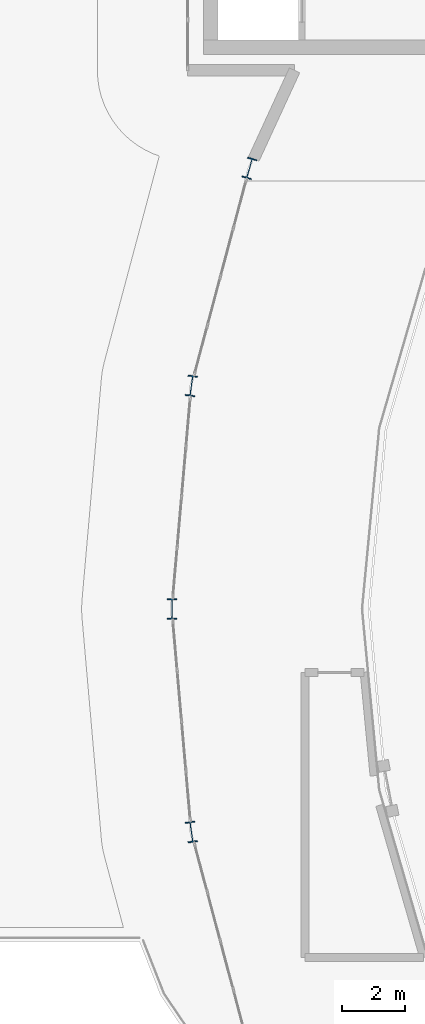
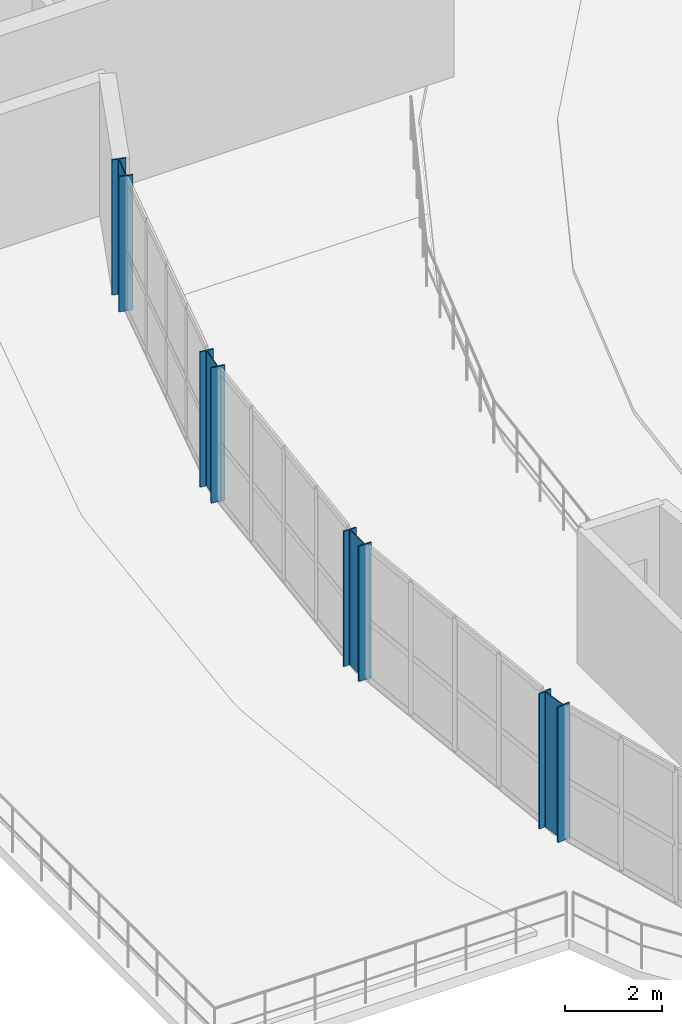
# One storey, part 2 of 40: 4 columns.
"""IFC4 building model written with IfcOpenShell, lengths in metres."""

import ifcopenshell
import ifcopenshell.guid

model = None  # the IFC model being written
_history = None  # IfcOwnerHistory: only IFC2X3 demands one
_inside = {}  # id of a spatial element -> (the spatial element, [elements in it])
_under = {}  # id of a project, library or spatial element -> (it, [spatial elements below it])
_declared = {}  # id of a project -> (the project, [libraries it declares])
_typed = {}  # id of a type object -> (the type object, [elements of that type])
_made_of = {}  # id of a material, layer set ... -> (it, [elements and type objects made of it])


def new_model(schema):
    """Start an empty IFC model of exactly this schema.

    Asked for "IFC4X3", IfcOpenShell would pick the latest addendum, in which some entities
    have other attributes; the version numbers below select the first issue.
    IFC2X3 requires an IfcOwnerHistory on every rooted entity: one is made here for all.
    """
    global model, _history
    if schema == "IFC4X3":
        model = ifcopenshell.file(schema_version=(4, 3, 0, 0))
    else:
        model = ifcopenshell.file(schema=schema)
    _inside.clear()
    _under.clear()
    _declared.clear()
    _typed.clear()
    _made_of.clear()
    _history = None
    if model.schema == "IFC2X3":
        org = make("IfcOrganization", Name="unknown")
        user = make(
            "IfcPersonAndOrganization",
            ThePerson=make("IfcPerson", FamilyName="unknown"),
            TheOrganization=org,
        )
        app = make(
            "IfcApplication",
            ApplicationDeveloper=org,
            Version="unknown",
            ApplicationFullName="unknown",
            ApplicationIdentifier="unknown",
        )
        _history = make(
            "IfcOwnerHistory",
            OwningUser=user,
            OwningApplication=app,
            ChangeAction="ADDED",
            CreationDate=0,
        )
    return model


def make(cls, **values):
    """One entity of the class cls with the attributes given. An attribute that is None is left unset."""
    return model.create_entity(
        cls, **{name: value for name, value in values.items() if value is not None}
    )


def rooted(cls, **values):
    """An entity with a GlobalId (a new one), such as an element, a storey or a relation."""
    return make(cls, GlobalId=ifcopenshell.guid.new(), OwnerHistory=_history, **values)


def si_unit(unit_type, name, prefix=None):
    """IfcSIUnit, for example si_unit("LENGTHUNIT", "METRE", prefix="MILLI")."""
    return make("IfcSIUnit", UnitType=unit_type, Prefix=prefix, Name=name)


def assignment(units):
    """IfcUnitAssignment: the units of a project."""
    return None if units is None else make("IfcUnitAssignment", Units=units)


def point(xyz):
    """IfcCartesianPoint."""
    return None if xyz is None else make("IfcCartesianPoint", Coordinates=xyz)


def direction(xyz):
    """IfcDirection."""
    return None if xyz is None else make("IfcDirection", DirectionRatios=xyz)


def frame(location, z_axis=None, x_axis=None):
    """IfcAxis2Placement3D, a coordinate frame: its origin and axes. An axis left out is left unset."""
    return make(
        "IfcAxis2Placement3D",
        Location=point(location),
        Axis=direction(z_axis),
        RefDirection=direction(x_axis),
    )


def frame_2d(location, x_axis=None):
    """IfcAxis2Placement2D, a coordinate frame in the plane: its origin and x axis."""
    return make(
        "IfcAxis2Placement2D", Location=point(location), RefDirection=direction(x_axis)
    )


def origin():
    """The frame at (0, 0, 0) with its axes left unset."""
    return frame((0.0, 0.0, 0.0))


def origin_2d():
    """The frame at (0, 0) in the plane with its x axis left unset."""
    return frame_2d((0.0, 0.0))


def place(relative_to, where):
    """IfcLocalPlacement: puts the frame where relative to a parent placement (None: the world)."""
    return make(
        "IfcLocalPlacement", PlacementRelTo=relative_to, RelativePlacement=where
    )


def context(
    kind, dimensions, precision=None, world=None, true_north=None, identifier=None
):
    """IfcGeometricRepresentationContext, for example the 3D "Model" context."""
    return make(
        "IfcGeometricRepresentationContext",
        ContextIdentifier=identifier,
        ContextType=kind,
        CoordinateSpaceDimension=dimensions,
        Precision=precision,
        WorldCoordinateSystem=world,
        TrueNorth=true_north,
    )


def subcontext(parent, identifier, kind, view, scale=None):
    """IfcGeometricRepresentationSubContext, for example "Body" below "Model"."""
    return make(
        "IfcGeometricRepresentationSubContext",
        ContextIdentifier=identifier,
        ContextType=kind,
        ParentContext=parent,
        TargetScale=scale,
        TargetView=view,
    )


def project(units=None, contexts=None):
    """IfcProject with its units and contexts."""
    return rooted(
        "IfcProject",
        Name="project",
        RepresentationContexts=contexts,
        UnitsInContext=assignment(units),
    )


def spatial(cls, under=None, at=None, **own):
    """A site, building, storey or space (cls), placed at a placement, below another one or the project."""
    s = rooted(cls, ObjectPlacement=at, **own)
    if under is not None:
        _under.setdefault(under.id(), (under, []))[1].append(s)
    return s


def profile(cls, at=None, kind="AREA", **sizes):
    """A parametric profile (cls). Its sizes go by their IFC names, for example OverallWidth=200.0."""
    return make(cls, ProfileType=kind, Position=at, **sizes)


def i_section(**sizes):
    """IfcIShapeProfileDef."""
    return profile("IfcIShapeProfileDef", **sizes)


def extrude(swept, where, along, depth):
    """IfcExtrudedAreaSolid: the profile swept, set in the frame where, extruded along a direction by depth."""
    return make(
        "IfcExtrudedAreaSolid",
        SweptArea=swept,
        Position=where,
        ExtrudedDirection=direction(along),
        Depth=depth,
    )


def shape(context_of_items, identifier, shape_type, items):
    """IfcShapeRepresentation: the items that make up one representation, for example the "Body"."""
    return make(
        "IfcShapeRepresentation",
        ContextOfItems=context_of_items,
        RepresentationIdentifier=identifier,
        RepresentationType=shape_type,
        Items=items,
    )


def material(Name=None, Category=None):
    """IfcMaterial."""
    return make("IfcMaterial", Name=Name, Category=Category)


def material_profile(
    of_material, cross_section, Name=None, Category=None, Priority=None
):
    """IfcMaterialProfile: a cross section and its material."""
    return make(
        "IfcMaterialProfile",
        Name=Name,
        Material=of_material,
        Profile=cross_section,
        Priority=Priority,
        Category=Category,
    )


def profile_set(profiles, Name=None, composite=None):
    """IfcMaterialProfileSet."""
    return make(
        "IfcMaterialProfileSet",
        Name=Name,
        MaterialProfiles=profiles,
        CompositeProfile=composite,
    )


def made_of(thing, what):
    """Note that an element or type object is made of a material, layer set ...; save() writes the relation."""
    if what is not None:
        _made_of.setdefault(what.id(), (what, []))[1].append(thing)
    return thing


def type_object(cls, material=None, **own):
    """A type object (cls), such as IfcWallType, which elements share."""
    return made_of(rooted(cls, **own), material)


def element(
    cls,
    number,
    at=None,
    inside=None,
    cuts=None,
    type_object=None,
    material=None,
    context=None,
    identifier="Body",
    shape_type=None,
    held_by="IfcProductDefinitionShape",
    body=None,
    shapes=None,
    **own,
):
    """One element of the class cls, such as IfcWall. Its Tag is "e" and its number.

    at: its placement. inside: the storey or other place that contains it. cuts: it is an
    opening in that element (IfcRelVoidsElement). A single representation is given by context,
    identifier, shape_type and body (its items); several are given by shapes. held_by: the class
    of the entity that holds the representations. save() writes the other relations.
    """
    e = rooted(cls, Tag="e%d" % number, ObjectPlacement=at, **own)
    if body is not None:
        shapes = [shape(context, identifier, shape_type, body)]
    if shapes is not None:
        e.Representation = make(held_by, Representations=shapes)
    if inside is not None:
        _inside.setdefault(inside.id(), (inside, []))[1].append(e)
    if cuts is not None:
        rooted(
            "IfcRelVoidsElement", RelatingBuildingElement=cuts, RelatedOpeningElement=e
        )
    if type_object is not None:
        _typed.setdefault(type_object.id(), (type_object, []))[1].append(e)
    return made_of(e, material)


def aggregate(whole, parts):
    """IfcRelAggregates: a whole, such as a stair, and the parts it consists of."""
    return rooted("IfcRelAggregates", RelatingObject=whole, RelatedObjects=parts)


def save(model, path):
    """Write the relations noted so far, then the file.

    IfcRelAggregates (storeys below a building ...), IfcRelContainedInSpatialStructure (elements
    in a storey), IfcRelDefinesByType, IfcRelAssociatesMaterial and IfcRelDeclares: one each for
    every whole, place, type object, material and project.
    """
    for whole, parts in _under.values():
        aggregate(whole, parts)
    for where, things in _inside.values():
        rooted(
            "IfcRelContainedInSpatialStructure",
            RelatedElements=things,
            RelatingStructure=where,
        )
    for kind, things in _typed.values():
        rooted("IfcRelDefinesByType", RelatedObjects=things, RelatingType=kind)
    for what, things in _made_of.values():
        rooted("IfcRelAssociatesMaterial", RelatedObjects=things, RelatingMaterial=what)
    for by, libraries in _declared.values():
        rooted("IfcRelDeclares", RelatingContext=by, RelatedDefinitions=libraries)
    model.write(path)


model = new_model("IFC4")

# Units and contexts
model_context = context("Model", 3, precision=1e-05, world=origin(), true_north=direction((0.0, 1.0)))
body_context = subcontext(model_context, "Body", "Model", "MODEL_VIEW")
ifc_project = project(units=[si_unit("LENGTHUNIT", "METRE"), si_unit("AREAUNIT", "SQUARE_METRE"), si_unit("VOLUMEUNIT", "CUBIC_METRE"), si_unit("PLANEANGLEUNIT", "RADIAN"), si_unit("MASSUNIT", "GRAM", prefix="KILO")], contexts=[model_context])

# Site, building, storey
site_placement = place(None, origin())
site = spatial("IfcSite", under=ifc_project, at=site_placement, CompositionType="ELEMENT")
building_placement = place(site_placement, origin())
building = spatial("IfcBuilding", under=site, at=building_placement, Name="Glasvene Arena", CompositionType="ELEMENT")
storey_placement = place(building_placement, frame((0.0, 0.0, 24.0)))
storey = spatial("IfcBuildingStorey", under=building, at=storey_placement, Name="L05", CompositionType="ELEMENT", Elevation=24.0)

# Columns
ifc_material = material(Name="Steel S355J2", Category="steel")
ifc_material_profile = material_profile(ifc_material, i_section(OverallWidth=0.300048828125, OverallDepth=0.64990234375, WebThickness=0.01611328125, FlangeThickness=0.031005859375, FilletRadius=0.027099609375, at=origin_2d()), Name="HEB 650")
ifc_profile_set = profile_set([ifc_material_profile], Name="Steel S355J2")
column_type = type_object("IfcColumnType", Name="COL-RING-HEB650", PredefinedType="COLUMN", material=ifc_profile_set)
for number, where, z_axis, x_axis, name in (
    (1, (44.447265625, 86.90576171875, 0.0), (0.0, 0.0, 1.0), (-0.959805291975, 0.280666708921, 0.0), "Bowl ring column R19 L05"),
    (2, (42.615478515625, 80.03955078125, 0.0), (0.0, 0.0, 1.0), (-0.989999050734, 0.141074021516, 0.0), "Bowl ring column R20 L05"),
    (3, (42.0, 73.0, 0.0), (0.0, 0.0, 1.0), (-1.0, 0.0, 0.0), "Bowl ring column R21 L05"),
    (4, (42.615478515625, 65.96044921875, 0.0), (0.0, 0.0, 1.0), (-0.989999050734, -0.141074021516, 0.0), "Bowl ring column R22 L05"),
):
    element("IfcColumn", number, at=place(storey_placement, frame(where, z_axis=z_axis, x_axis=x_axis)), inside=storey, type_object=column_type, Name=name, PredefinedType="COLUMN", context=body_context, shape_type="SweptSolid", body=[
        extrude(i_section(OverallWidth=0.300048828125, OverallDepth=0.64990234375, WebThickness=0.01611328125, FlangeThickness=0.031005859375, FilletRadius=0.027099609375, at=origin_2d()), origin(), (0.0, 0.0, 1.0), 3.39990234375),
    ])

save(model, "model.ifc")
